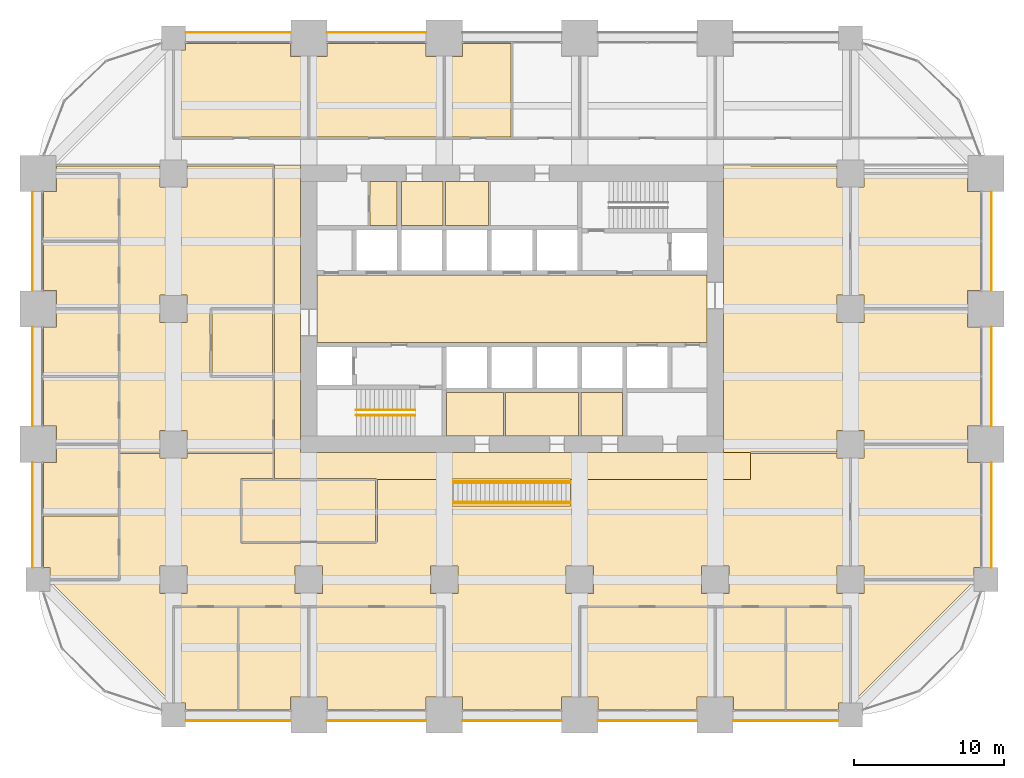
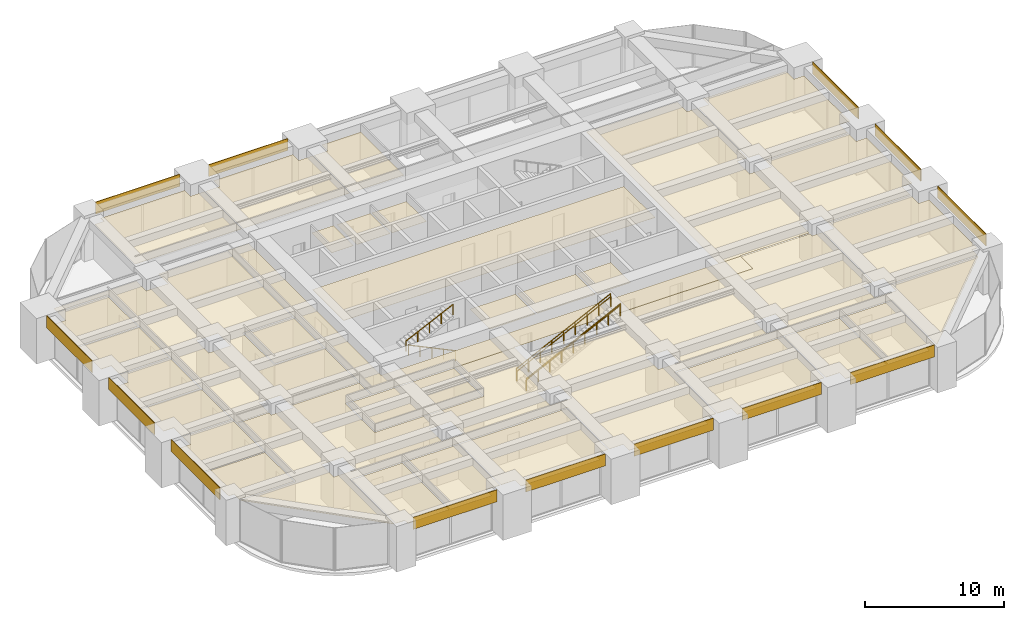
# One storey, part 40 of 41: 43 coverings, 6 railings.
"""IFC4 building model written with IfcOpenShell, lengths in metres."""

from ifc_helpers import new_model, si_unit, direction, frame, frame_2d, origin, origin_2d, place, context, subcontext, project, spatial, polyline, rectangle, circle, outline, extrude, material, layer, layer_set, type_object, element, save


model = new_model("IFC4")

# Units and contexts
model_context = context("Model", 3, precision=1e-05, world=origin(), true_north=direction((0.0, 1.0)))
body_context = subcontext(model_context, "Body", "Model", "MODEL_VIEW")
ifc_project = project(units=[si_unit("LENGTHUNIT", "METRE"), si_unit("AREAUNIT", "SQUARE_METRE"), si_unit("VOLUMEUNIT", "CUBIC_METRE"), si_unit("PLANEANGLEUNIT", "RADIAN"), si_unit("MASSUNIT", "GRAM", prefix="KILO")], contexts=[model_context])

# Site, building, storey
site_placement = place(None, origin())
site = spatial("IfcSite", under=ifc_project, at=site_placement, CompositionType="ELEMENT")
building_placement = place(site_placement, origin())
building = spatial("IfcBuilding", under=site, at=building_placement, Name="Zorevar Civic Tower", CompositionType="ELEMENT")
storey_placement = place(building_placement, frame((0.0, 0.0, 137.0)))
storey = spatial("IfcBuildingStorey", under=building, at=storey_placement, Name="L33", CompositionType="ELEMENT", Elevation=137.0)

# Railings
ifc_material_1 = material(Name="Laminated glass balustrade with black steel handrail", Category="steel")
railing_type_1 = type_object("IfcRailingType", Name="Balustrade BL1 1100", PredefinedType="BALUSTRADE", material=ifc_material_1)
for number, where, name in (
    (1, (27.60009765625, 14.080078125, 0.148193359375), "Balustrade BL1 interconnecting stair L33"),
    (2, (27.60009765625, 15.52001953125, 0.148193359375), "Balustrade BL1 interconnecting stair L33"),
):
    element("IfcRailing", number, at=place(storey_placement, frame(where)), inside=storey, type_object=railing_type_1, Name=name, PredefinedType="BALUSTRADE", context=body_context, shape_type="SweptSolid", body=[
        extrude(circle(Radius=0.02392578125, at=origin_2d()), frame((0.0, 0.0, 1.076171875), z_axis=(0.896627794226, 0.0, 0.442785047875), x_axis=(0.0, 1.0, 0.0)), (0.0, 0.0, 1.0), 8.698974609375),
        extrude(circle(Radius=0.02099609375, at=origin_2d()), origin(), (0.0, 0.0, 1.0), 1.052001953125),
        extrude(circle(Radius=0.02099609375, at=origin_2d()), frame((0.97509765625, 0.0, 0.4814453125)), (0.0, 0.0, 1.0), 1.052001953125),
        extrude(circle(Radius=0.02099609375, at=origin_2d()), frame((1.949951171875, 0.0, 0.962890625)), (0.0, 0.0, 1.0), 1.052001953125),
        extrude(circle(Radius=0.02099609375, at=origin_2d()), frame((2.9248046875, 0.0, 1.4443359375)), (0.0, 0.0, 1.0), 1.052001953125),
        extrude(circle(Radius=0.02099609375, at=origin_2d()), frame((3.89990234375, 0.0, 1.92578125)), (0.0, 0.0, 1.0), 1.052001953125),
        extrude(circle(Radius=0.02099609375, at=origin_2d()), frame((4.875, 0.0, 2.407470703125)), (0.0, 0.0, 1.0), 1.052001953125),
        extrude(circle(Radius=0.02099609375, at=origin_2d()), frame((5.849853515625, 0.0, 2.888916015625)), (0.0, 0.0, 1.0), 1.052001953125),
        extrude(circle(Radius=0.02099609375, at=origin_2d()), frame((6.82470703125, 0.0, 3.370361328125)), (0.0, 0.0, 1.0), 1.052001953125),
        extrude(circle(Radius=0.02099609375, at=origin_2d()), frame((7.7998046875, 0.0, 3.851806640625)), (0.0, 0.0, 1.0), 1.052001953125),
    ])
ifc_material_2 = material(Name="Black steel handrail", Category="steel")
railing_type_2 = type_object("IfcRailingType", Name="Handrail HR1 900", PredefinedType="HANDRAIL", material=ifc_material_2)
railing_1_placement = place(storey_placement, frame((25.050048828125, 19.925048828125, 0.142822265625)))
element("IfcRailing", 3, at=railing_1_placement, inside=storey, type_object=railing_type_2, Name="Handrail HR1 ST1 L33", PredefinedType="HANDRAIL", context=body_context, shape_type="SweptSolid", body=[
    extrude(circle(Radius=0.02392578125, at=origin_2d()), frame((0.0, 0.0, 0.8759765625), z_axis=(-0.902863652845, 0.0, 0.429926998885), x_axis=(0.0, -1.0, 0.0)), (0.0, 0.0, 1.0), 4.31982421875),
    extrude(circle(Radius=0.02099609375, at=origin_2d()), origin(), (0.0, 0.0, 1.0), 0.851806640625),
    extrude(circle(Radius=0.02099609375, at=origin_2d()), frame((-0.97509765625, 0.0, 0.46435546875)), (0.0, 0.0, 1.0), 0.851806640625),
    extrude(circle(Radius=0.02099609375, at=origin_2d()), frame((-1.9501953125, 0.0, 0.9287109375)), (0.0, 0.0, 1.0), 0.851806640625),
    extrude(circle(Radius=0.02099609375, at=origin_2d()), frame((-2.925048828125, 0.0, 1.392822265625)), (0.0, 0.0, 1.0), 0.851806640625),
    extrude(circle(Radius=0.02099609375, at=origin_2d()), frame((-3.900146484375, 0.0, 1.857177734375)), (0.0, 0.0, 1.0), 0.851806640625),
])
railing_2_placement = place(storey_placement, frame((21.14990234375, 20.27490234375, 2.142822265625)))
element("IfcRailing", 4, at=railing_2_placement, inside=storey, type_object=railing_type_2, Name="Handrail HR1 ST1 L33", PredefinedType="HANDRAIL", context=body_context, shape_type="SweptSolid", body=[
    extrude(circle(Radius=0.02392578125, at=origin_2d()), frame((0.0, 0.0, 0.8759765625), z_axis=(0.902863652845, 0.0, 0.429926998885), x_axis=(0.0, 1.0, 0.0)), (0.0, 0.0, 1.0), 4.31982421875),
    extrude(circle(Radius=0.02099609375, at=origin_2d()), origin(), (0.0, 0.0, 1.0), 0.851806640625),
    extrude(circle(Radius=0.02099609375, at=origin_2d()), frame((0.97509765625, 0.0, 0.46435546875)), (0.0, 0.0, 1.0), 0.851806640625),
    extrude(circle(Radius=0.02099609375, at=origin_2d()), frame((1.9501953125, 0.0, 0.9287109375)), (0.0, 0.0, 1.0), 0.851806640625),
    extrude(circle(Radius=0.02099609375, at=origin_2d()), frame((2.925048828125, 0.0, 1.392822265625)), (0.0, 0.0, 1.0), 0.851806640625),
    extrude(circle(Radius=0.02099609375, at=origin_2d()), frame((3.900146484375, 0.0, 1.857177734375)), (0.0, 0.0, 1.0), 0.851806640625),
])
for number, where, name in (
    (5, (27.60009765625, 14.14990234375, 0.148193359375), "Handrail HR1 interconnecting stair L33"),
    (6, (27.60009765625, 15.449951171875, 0.148193359375), "Handrail HR1 interconnecting stair L33"),
):
    element("IfcRailing", number, at=place(storey_placement, frame(where)), inside=storey, type_object=railing_type_2, Name=name, PredefinedType="HANDRAIL", context=body_context, shape_type="SweptSolid", body=[
        extrude(circle(Radius=0.02392578125, at=origin_2d()), frame((0.0, 0.0, 0.8759765625), z_axis=(0.896627794226, 0.0, 0.442785047875), x_axis=(0.0, 1.0, 0.0)), (0.0, 0.0, 1.0), 8.698974609375),
        extrude(circle(Radius=0.02099609375, at=origin_2d()), origin(), (0.0, 0.0, 1.0), 0.851806640625),
        extrude(circle(Radius=0.02099609375, at=origin_2d()), frame((0.97509765625, 0.0, 0.4814453125)), (0.0, 0.0, 1.0), 0.851806640625),
        extrude(circle(Radius=0.02099609375, at=origin_2d()), frame((1.949951171875, 0.0, 0.962890625)), (0.0, 0.0, 1.0), 0.851806640625),
        extrude(circle(Radius=0.02099609375, at=origin_2d()), frame((2.9248046875, 0.0, 1.4443359375)), (0.0, 0.0, 1.0), 0.851806640625),
        extrude(circle(Radius=0.02099609375, at=origin_2d()), frame((3.89990234375, 0.0, 1.92578125)), (0.0, 0.0, 1.0), 0.851806640625),
        extrude(circle(Radius=0.02099609375, at=origin_2d()), frame((4.875, 0.0, 2.407470703125)), (0.0, 0.0, 1.0), 0.851806640625),
        extrude(circle(Radius=0.02099609375, at=origin_2d()), frame((5.849853515625, 0.0, 2.888916015625)), (0.0, 0.0, 1.0), 0.851806640625),
        extrude(circle(Radius=0.02099609375, at=origin_2d()), frame((6.82470703125, 0.0, 3.370361328125)), (0.0, 0.0, 1.0), 0.851806640625),
        extrude(circle(Radius=0.02099609375, at=origin_2d()), frame((7.7998046875, 0.0, 3.851806640625)), (0.0, 0.0, 1.0), 0.851806640625),
    ])

# Coverings
ifc_material_3 = material(Name="Moisture-resistant gypsum board")
ifc_layer_1 = layer(ifc_material_3, 0.012451171875)
ifc_layer_set_1 = layer_set([ifc_layer_1], Name="Moisture-resistant ceiling SC3")
covering_type_1 = type_object("IfcCoveringType", Name="Moisture-resistant ceiling SC3", PredefinedType="CEILING", material=ifc_layer_set_1)
covering_1_placement = place(storey_placement, frame((0.0, 0.0, 3.0)))
element("IfcCovering", 7, at=covering_1_placement, inside=storey, type_object=covering_type_1, Name="Ceiling L33-05", PredefinedType="CEILING", context=body_context, shape_type="SweptSolid", body=[
    extrude(outline(polyline([(30.925048828125, 18.550048828125), (30.925048828125, 21.449951171875), (27.14990234375, 21.449951171875), (27.14990234375, 18.550048828125), (30.925048828125, 18.550048828125)])), origin(), (0.0, 0.0, 1.0), 0.012451171875),
])
covering_2_placement = place(storey_placement, frame((0.0, 0.0, 3.0)))
element("IfcCovering", 8, at=covering_2_placement, inside=storey, type_object=covering_type_1, Name="Ceiling L33-06", PredefinedType="CEILING", context=body_context, shape_type="SweptSolid", body=[
    extrude(outline(polyline([(35.925048828125, 18.550048828125), (35.925048828125, 21.449951171875), (31.074951171875, 21.449951171875), (31.074951171875, 18.550048828125), (35.925048828125, 18.550048828125)])), origin(), (0.0, 0.0, 1.0), 0.012451171875),
])
covering_3_placement = place(storey_placement, frame((0.0, 0.0, 3.0)))
element("IfcCovering", 9, at=covering_3_placement, inside=storey, type_object=covering_type_1, Name="Ceiling L33-07", PredefinedType="CEILING", context=body_context, shape_type="SweptSolid", body=[
    extrude(outline(polyline([(38.85009765625, 18.550048828125), (38.85009765625, 21.449951171875), (36.074951171875, 21.449951171875), (36.074951171875, 18.550048828125), (38.85009765625, 18.550048828125)])), origin(), (0.0, 0.0, 1.0), 0.012451171875),
])
covering_4_placement = place(storey_placement, frame((0.0, 0.0, 3.0)))
element("IfcCovering", 10, at=covering_4_placement, inside=storey, type_object=covering_type_1, Name="Ceiling L33-10", PredefinedType="CEILING", context=body_context, shape_type="SweptSolid", body=[
    extrude(outline(polyline([(26.925048828125, 32.550048828125), (26.925048828125, 35.449951171875), (24.14990234375, 35.449951171875), (24.14990234375, 32.550048828125), (26.925048828125, 32.550048828125)])), origin(), (0.0, 0.0, 1.0), 0.012451171875),
])
ifc_material_4 = material(Name="Black anodised aluminium spandrel panel", Category="aluminium")
ifc_layer_2 = layer(ifc_material_4, 0.050048828125)
ifc_layer_set_2 = layer_set([ifc_layer_2], Name="Spandrel cladding SP1")
covering_type_2 = type_object("IfcCoveringType", Name="Spandrel cladding SP1", PredefinedType="CLADDING", material=ifc_layer_set_2)
covering_5_placement = place(storey_placement, frame((9.800048828125, -0.375, 2.949951171875), z_axis=(0.0, 0.0, 1.0), x_axis=(1.0, 0.0, 0.0)))
element("IfcCovering", 11, at=covering_5_placement, inside=storey, type_object=covering_type_2, Name="Spandrel cladding L34", PredefinedType="CLADDING", context=body_context, shape_type="SweptSolid", body=[
    extrude(rectangle(XDim=7.0, YDim=0.050048828125, at=frame_2d((3.5, 0.0))), origin(), (0.0, 0.0, 1.0), 1.050048828125),
])
for number, where, z_axis, x_axis, name in (
    (12, (19.199951171875, -0.375, 2.949951171875), (0.0, 0.0, 1.0), (1.0, 0.0, 0.0), "Spandrel cladding L34"),
    (13, (28.199951171875, -0.375, 2.949951171875), (0.0, 0.0, 1.0), (1.0, 0.0, 0.0), "Spandrel cladding L34"),
    (14, (37.199951171875, -0.375, 2.949951171875), (0.0, 0.0, 1.0), (1.0, 0.0, 0.0), "Spandrel cladding L34"),
):
    element("IfcCovering", number, at=place(storey_placement, frame(where, z_axis=z_axis, x_axis=x_axis)), inside=storey, type_object=covering_type_2, Name=name, PredefinedType="CLADDING", context=body_context, shape_type="SweptSolid", body=[
        extrude(rectangle(XDim=6.60009765625, YDim=0.050048828125, at=frame_2d((3.300048828125, 0.0))), origin(), (0.0, 0.0, 1.0), 1.050048828125),
    ])
for number, where, z_axis, x_axis, name in (
    (15, (46.199951171875, -0.375, 2.949951171875), (0.0, 0.0, 1.0), (1.0, 0.0, 0.0), "Spandrel cladding L34"),
    (16, (9.800048828125, 45.375, 2.949951171875), (0.0, 0.0, 1.0), (1.0, 0.0, 0.0), "Spandrel cladding L34"),
):
    element("IfcCovering", number, at=place(storey_placement, frame(where, z_axis=z_axis, x_axis=x_axis)), inside=storey, type_object=covering_type_2, Name=name, PredefinedType="CLADDING", context=body_context, shape_type="SweptSolid", body=[
        extrude(rectangle(XDim=7.0, YDim=0.050048828125, at=frame_2d((3.5, 0.0))), origin(), (0.0, 0.0, 1.0), 1.050048828125),
    ])
covering_6_placement = place(storey_placement, frame((19.199951171875, 45.375, 2.949951171875), z_axis=(0.0, 0.0, 1.0), x_axis=(1.0, 0.0, 0.0)))
element("IfcCovering", 17, at=covering_6_placement, inside=storey, type_object=covering_type_2, Name="Spandrel cladding L34", PredefinedType="CLADDING", context=body_context, shape_type="SweptSolid", body=[
    extrude(rectangle(XDim=6.60009765625, YDim=0.050048828125, at=frame_2d((3.300048828125, 0.0))), origin(), (0.0, 0.0, 1.0), 1.050048828125),
])
covering_7_placement = place(storey_placement, frame((-0.375, 9.800048828125, 2.949951171875), z_axis=(0.0, 0.0, 1.0), x_axis=(0.0, 1.0, 0.0)))
element("IfcCovering", 18, at=covering_7_placement, inside=storey, type_object=covering_type_2, Name="Spandrel cladding L34", PredefinedType="CLADDING", context=body_context, shape_type="SweptSolid", body=[
    extrude(rectangle(XDim=7.0, YDim=0.050048828125, at=frame_2d((3.5, 0.0))), origin(), (0.0, 0.0, 1.0), 1.050048828125),
])
for number, where, z_axis, x_axis, name in (
    (19, (-0.375, 19.199951171875, 2.949951171875), (0.0, 0.0, 1.0), (0.0, 1.0, 0.0), "Spandrel cladding L34"),
    (20, (-0.375, 28.199951171875, 2.949951171875), (0.0, 0.0, 1.0), (0.0, 1.0, 0.0), "Spandrel cladding L34"),
):
    element("IfcCovering", number, at=place(storey_placement, frame(where, z_axis=z_axis, x_axis=x_axis)), inside=storey, type_object=covering_type_2, Name=name, PredefinedType="CLADDING", context=body_context, shape_type="SweptSolid", body=[
        extrude(rectangle(XDim=6.60009765625, YDim=0.050048828125, at=frame_2d((3.300048828125, 0.0))), origin(), (0.0, 0.0, 1.0), 1.050048828125),
    ])
covering_8_placement = place(storey_placement, frame((63.375, 9.800048828125, 2.949951171875), z_axis=(0.0, 0.0, 1.0), x_axis=(0.0, 1.0, 0.0)))
element("IfcCovering", 21, at=covering_8_placement, inside=storey, type_object=covering_type_2, Name="Spandrel cladding L34", PredefinedType="CLADDING", context=body_context, shape_type="SweptSolid", body=[
    extrude(rectangle(XDim=7.0, YDim=0.050048828125, at=frame_2d((3.5, 0.0))), origin(), (0.0, 0.0, 1.0), 1.050048828125),
])
for number, where, z_axis, x_axis, name in (
    (22, (63.375, 19.199951171875, 2.949951171875), (0.0, 0.0, 1.0), (0.0, 1.0, 0.0), "Spandrel cladding L34"),
    (23, (63.375, 28.199951171875, 2.949951171875), (0.0, 0.0, 1.0), (0.0, 1.0, 0.0), "Spandrel cladding L34"),
):
    element("IfcCovering", number, at=place(storey_placement, frame(where, z_axis=z_axis, x_axis=x_axis)), inside=storey, type_object=covering_type_2, Name=name, PredefinedType="CLADDING", context=body_context, shape_type="SweptSolid", body=[
        extrude(rectangle(XDim=6.60009765625, YDim=0.050048828125, at=frame_2d((3.300048828125, 0.0))), origin(), (0.0, 0.0, 1.0), 1.050048828125),
    ])
ifc_material_5 = material(Name="Mineral fibre tiles on a concealed grid")
ifc_layer_3 = layer(ifc_material_5, 0.02001953125)
ifc_layer_set_3 = layer_set([ifc_layer_3], Name="Suspended ceiling SC1")
covering_type_3 = type_object("IfcCoveringType", Name="Suspended ceiling SC1", PredefinedType="CEILING", material=ifc_layer_set_3)
covering_9_placement = place(storey_placement, frame((0.0, 0.0, 3.0)))
element("IfcCovering", 24, at=covering_9_placement, inside=storey, type_object=covering_type_3, Name="Ceiling L33-09", PredefinedType="CEILING", context=body_context, shape_type="SweptSolid", body=[
    extrude(outline(polyline([(29.93994140625, 32.550048828125), (29.93994140625, 35.449951171875), (27.074951171875, 35.449951171875), (27.074951171875, 32.550048828125), (29.93994140625, 32.550048828125)])), origin(), (0.0, 0.0, 1.0), 0.02001953125),
])
covering_10_placement = place(storey_placement, frame((0.0, 0.0, 3.0)))
element("IfcCovering", 25, at=covering_10_placement, inside=storey, type_object=covering_type_3, Name="Ceiling L33-12", PredefinedType="CEILING", context=body_context, shape_type="SweptSolid", body=[
    extrude(outline(polyline([(23.85009765625, 32.550048828125), (23.85009765625, 35.449951171875), (22.06005859375, 35.449951171875), (22.06005859375, 32.550048828125), (23.85009765625, 32.550048828125)])), origin(), (0.0, 0.0, 1.0), 0.02001953125),
])
covering_11_placement = place(storey_placement, frame((0.0, 0.0, 3.0)))
element("IfcCovering", 26, at=covering_11_placement, inside=storey, type_object=covering_type_3, Name="Ceiling L33-16", PredefinedType="CEILING", context=body_context, shape_type="SweptSolid", body=[
    extrude(outline(polyline([(44.449951171875, 24.75), (44.449951171875, 29.25), (18.550048828125, 29.25), (18.550048828125, 24.75), (44.449951171875, 24.75)])), origin(), (0.0, 0.0, 1.0), 0.02001953125),
])
covering_12_placement = place(storey_placement, frame((0.0, 0.0, 3.0)))
element("IfcCovering", 27, at=covering_12_placement, inside=storey, type_object=covering_type_3, Name="Ceiling L33-17", PredefinedType="CEILING", context=body_context, shape_type="SweptSolid", body=[
    extrude(outline(polyline([(9.81005859375, 44.18994140625), (9.81005859375, 44.64990234375), (16.7900390625, 44.64990234375), (16.7900390625, 43.7900390625), (17.93994140625, 43.7900390625), (17.93994140625, 38.409912109375), (9.06005859375, 38.409912109375), (9.06005859375, 44.18994140625), (9.81005859375, 44.18994140625)])), origin(), (0.0, 0.0, 1.0), 0.02001953125),
])
covering_13_placement = place(storey_placement, frame((0.0, 0.0, 3.0)))
element("IfcCovering", 28, at=covering_13_placement, inside=storey, type_object=covering_type_3, Name="Ceiling L33-18", PredefinedType="CEILING", context=body_context, shape_type="SweptSolid", body=[
    extrude(outline(polyline([(19.2099609375, 43.7900390625), (19.2099609375, 44.64990234375), (25.7900390625, 44.64990234375), (25.7900390625, 43.7900390625), (26.93994140625, 43.7900390625), (26.93994140625, 38.409912109375), (18.06005859375, 38.409912109375), (18.06005859375, 43.7900390625), (19.2099609375, 43.7900390625)])), origin(), (0.0, 0.0, 1.0), 0.02001953125),
])
covering_14_placement = place(storey_placement, frame((0.0, 0.0, 3.0)))
element("IfcCovering", 29, at=covering_14_placement, inside=storey, type_object=covering_type_3, Name="Ceiling L33-19", PredefinedType="CEILING", context=body_context, shape_type="SweptSolid", body=[
    extrude(outline(polyline([(27.06005859375, 38.409912109375), (27.06005859375, 43.7900390625), (28.2099609375, 43.7900390625), (28.2099609375, 44.64990234375), (31.43994140625, 44.64990234375), (31.43994140625, 38.409912109375), (27.06005859375, 38.409912109375)])), origin(), (0.0, 0.0, 1.0), 0.02001953125),
])
covering_15_placement = place(storey_placement, frame((0.0, 0.0, 3.0)))
element("IfcCovering", 30, at=covering_15_placement, inside=storey, type_object=covering_type_3, Name="Ceiling L33-23", PredefinedType="CEILING", context=body_context, shape_type="SweptSolid", body=[
    extrude(outline(polyline([(13.239990234375, 7.139892578125), (13.239990234375, 0.35009765625), (9.81005859375, 0.35009765625), (9.81005859375, 0.81005859375), (9.06005859375, 0.81005859375), (9.06005859375, 7.139892578125), (13.239990234375, 7.139892578125)])), origin(), (0.0, 0.0, 1.0), 0.02001953125),
])
covering_16_placement = place(storey_placement, frame((0.0, 0.0, 3.0)))
element("IfcCovering", 31, at=covering_16_placement, inside=storey, type_object=covering_type_3, Name="Ceiling L33-24", PredefinedType="CEILING", context=body_context, shape_type="SweptSolid", body=[
    extrude(outline(polyline([(17.93994140625, 7.139892578125), (17.93994140625, 1.2099609375), (16.7900390625, 1.2099609375), (16.7900390625, 0.35009765625), (13.360107421875, 0.35009765625), (13.360107421875, 7.139892578125), (17.93994140625, 7.139892578125)])), origin(), (0.0, 0.0, 1.0), 0.02001953125),
])
covering_17_placement = place(storey_placement, frame((0.0, 0.0, 3.0)))
element("IfcCovering", 32, at=covering_17_placement, inside=storey, type_object=covering_type_3, Name="Ceiling L33-25", PredefinedType="CEILING", context=body_context, shape_type="SweptSolid", body=[
    extrude(outline(polyline([(19.2099609375, 0.35009765625), (19.2099609375, 1.2099609375), (18.06005859375, 1.2099609375), (18.06005859375, 7.139892578125), (26.93994140625, 7.139892578125), (26.93994140625, 1.2099609375), (25.7900390625, 1.2099609375), (25.7900390625, 0.35009765625), (19.2099609375, 0.35009765625)])), origin(), (0.0, 0.0, 1.0), 0.02001953125),
])
covering_18_placement = place(storey_placement, frame((0.0, 0.0, 3.0)))
element("IfcCovering", 33, at=covering_18_placement, inside=storey, type_object=covering_type_3, Name="Ceiling L33-26", PredefinedType="CEILING", context=body_context, shape_type="SweptSolid", body=[
    extrude(outline(polyline([(37.2099609375, 0.35009765625), (37.2099609375, 1.2099609375), (36.06005859375, 1.2099609375), (36.06005859375, 7.139892578125), (44.93994140625, 7.139892578125), (44.93994140625, 1.2099609375), (43.7900390625, 1.2099609375), (43.7900390625, 0.35009765625), (37.2099609375, 0.35009765625)])), origin(), (0.0, 0.0, 1.0), 0.02001953125),
])
covering_19_placement = place(storey_placement, frame((0.0, 0.0, 3.0)))
element("IfcCovering", 34, at=covering_19_placement, inside=storey, type_object=covering_type_3, Name="Ceiling L33-27", PredefinedType="CEILING", context=body_context, shape_type="SweptSolid", body=[
    extrude(outline(polyline([(49.639892578125, 7.139892578125), (49.639892578125, 0.35009765625), (46.2099609375, 0.35009765625), (46.2099609375, 1.2099609375), (45.06005859375, 1.2099609375), (45.06005859375, 7.139892578125), (49.639892578125, 7.139892578125)])), origin(), (0.0, 0.0, 1.0), 0.02001953125),
])
covering_20_placement = place(storey_placement, frame((0.0, 0.0, 3.0)))
element("IfcCovering", 35, at=covering_20_placement, inside=storey, type_object=covering_type_3, Name="Ceiling L33-28", PredefinedType="CEILING", context=body_context, shape_type="SweptSolid", body=[
    extrude(outline(polyline([(53.93994140625, 7.139892578125), (53.93994140625, 0.81005859375), (53.18994140625, 0.81005859375), (53.18994140625, 0.35009765625), (49.760009765625, 0.35009765625), (49.760009765625, 7.139892578125), (53.93994140625, 7.139892578125)])), origin(), (0.0, 0.0, 1.0), 0.02001953125),
])
covering_21_placement = place(storey_placement, frame((0.0, 0.0, 3.0)))
element("IfcCovering", 36, at=covering_21_placement, inside=storey, type_object=covering_type_3, Name="Ceiling L33-29", PredefinedType="CEILING", context=body_context, shape_type="SweptSolid", body=[
    extrude(outline(polyline([(5.340087890625, 9.06005859375), (0.81005859375, 9.06005859375), (0.81005859375, 9.81005859375), (0.35009765625, 9.81005859375), (0.35009765625, 13.239990234375), (5.340087890625, 13.239990234375), (5.340087890625, 9.06005859375)])), origin(), (0.0, 0.0, 1.0), 0.02001953125),
])
covering_22_placement = place(storey_placement, frame((0.0, 0.0, 3.0)))
element("IfcCovering", 37, at=covering_22_placement, inside=storey, type_object=covering_type_3, Name="Ceiling L33-30", PredefinedType="CEILING", context=body_context, shape_type="SweptSolid", body=[
    extrude(outline(polyline([(5.340087890625, 13.360107421875), (0.35009765625, 13.360107421875), (0.35009765625, 16.7900390625), (1.2099609375, 16.7900390625), (1.2099609375, 17.93994140625), (5.340087890625, 17.93994140625), (5.340087890625, 13.360107421875)])), origin(), (0.0, 0.0, 1.0), 0.02001953125),
])
covering_23_placement = place(storey_placement, frame((0.0, 0.0, 3.0)))
element("IfcCovering", 38, at=covering_23_placement, inside=storey, type_object=covering_type_3, Name="Ceiling L33-31", PredefinedType="CEILING", context=body_context, shape_type="SweptSolid", body=[
    extrude(outline(polyline([(5.340087890625, 18.06005859375), (1.2099609375, 18.06005859375), (1.2099609375, 19.2099609375), (0.35009765625, 19.2099609375), (0.35009765625, 22.43994140625), (5.340087890625, 22.43994140625), (5.340087890625, 18.06005859375)])), origin(), (0.0, 0.0, 1.0), 0.02001953125),
])
covering_24_placement = place(storey_placement, frame((0.0, 0.0, 3.0)))
element("IfcCovering", 39, at=covering_24_placement, inside=storey, type_object=covering_type_3, Name="Ceiling L33-32", PredefinedType="CEILING", context=body_context, shape_type="SweptSolid", body=[
    extrude(outline(polyline([(5.340087890625, 22.56005859375), (0.35009765625, 22.56005859375), (0.35009765625, 25.7900390625), (1.2099609375, 25.7900390625), (1.2099609375, 26.93994140625), (5.340087890625, 26.93994140625), (5.340087890625, 22.56005859375)])), origin(), (0.0, 0.0, 1.0), 0.02001953125),
])
covering_25_placement = place(storey_placement, frame((0.0, 0.0, 3.0)))
element("IfcCovering", 40, at=covering_25_placement, inside=storey, type_object=covering_type_3, Name="Ceiling L33-33", PredefinedType="CEILING", context=body_context, shape_type="SweptSolid", body=[
    extrude(outline(polyline([(5.340087890625, 27.06005859375), (1.2099609375, 27.06005859375), (1.2099609375, 28.2099609375), (0.35009765625, 28.2099609375), (0.35009765625, 31.43994140625), (5.340087890625, 31.43994140625), (5.340087890625, 27.06005859375)])), origin(), (0.0, 0.0, 1.0), 0.02001953125),
])
covering_26_placement = place(storey_placement, frame((0.0, 0.0, 3.0)))
element("IfcCovering", 41, at=covering_26_placement, inside=storey, type_object=covering_type_3, Name="Ceiling L33-34", PredefinedType="CEILING", context=body_context, shape_type="SweptSolid", body=[
    extrude(outline(polyline([(5.340087890625, 31.56005859375), (0.35009765625, 31.56005859375), (0.35009765625, 34.7900390625), (1.2099609375, 34.7900390625), (1.2099609375, 35.93994140625), (5.340087890625, 35.93994140625), (5.340087890625, 31.56005859375)])), origin(), (0.0, 0.0, 1.0), 0.02001953125),
])
covering_27_placement = place(storey_placement, frame((0.0, 0.0, 3.0)))
element("IfcCovering", 42, at=covering_27_placement, inside=storey, type_object=covering_type_3, Name="Ceiling L33-35", PredefinedType="CEILING", context=body_context, shape_type="SweptSolid", body=[
    extrude(outline(polyline([(62.64990234375, 9.81005859375), (62.18994140625, 9.81005859375), (62.18994140625, 9.06005859375), (54.909912109375, 9.06005859375), (54.909912109375, 9.909912109375), (54.06005859375, 9.909912109375), (54.06005859375, 17.090087890625), (54.909912109375, 17.090087890625), (54.909912109375, 17.93994140625), (61.7900390625, 17.93994140625), (61.7900390625, 16.7900390625), (62.64990234375, 16.7900390625), (62.64990234375, 9.81005859375)])), origin(), (0.0, 0.0, 1.0), 0.02001953125),
])
covering_28_placement = place(storey_placement, frame((0.0, 0.0, 3.0)))
element("IfcCovering", 43, at=covering_28_placement, inside=storey, type_object=covering_type_3, Name="Ceiling L33-36", PredefinedType="CEILING", context=body_context, shape_type="SweptSolid", body=[
    extrude(outline(polyline([(62.64990234375, 28.2099609375), (61.7900390625, 28.2099609375), (61.7900390625, 27.06005859375), (54.909912109375, 27.06005859375), (54.909912109375, 27.909912109375), (54.06005859375, 27.909912109375), (54.06005859375, 35.090087890625), (54.909912109375, 35.090087890625), (54.909912109375, 35.93994140625), (61.7900390625, 35.93994140625), (61.7900390625, 34.7900390625), (62.64990234375, 34.7900390625), (62.64990234375, 28.2099609375)])), origin(), (0.0, 0.0, 1.0), 0.02001953125),
])
covering_29_placement = place(storey_placement, frame((0.0, 0.0, 3.0)))
element("IfcCovering", 44, at=covering_29_placement, inside=storey, type_object=covering_type_3, Name="Ceiling L33-37", PredefinedType="CEILING", context=body_context, shape_type="SweptSolid", body=[
    extrude(outline(polyline([(13.56005859375, 15.590087890625), (22.43994140625, 15.590087890625), (22.43994140625, 11.550048828125), (13.56005859375, 11.550048828125), (13.56005859375, 15.590087890625)])), origin(), (0.0, 0.0, 1.0), 0.02001953125),
])
covering_30_placement = place(storey_placement, frame((0.0, 0.0, 3.0)))
element("IfcCovering", 45, at=covering_30_placement, inside=storey, type_object=covering_type_3, Name="Ceiling L33-38", PredefinedType="CEILING", context=body_context, shape_type="SweptSolid", body=[
    extrude(outline(polyline([(11.56005859375, 26.93994140625), (15.590087890625, 26.93994140625), (15.590087890625, 22.56005859375), (11.56005859375, 22.56005859375), (11.56005859375, 26.93994140625)])), origin(), (0.0, 0.0, 1.0), 0.02001953125),
])
covering_31_placement = place(storey_placement, frame((0.0, 0.0, 3.0)))
element("IfcCovering", 46, at=covering_31_placement, inside=storey, type_object=covering_type_3, Name="Ceiling L33-40", PredefinedType="CEILING", context=body_context, shape_type="SweptSolid", body=[
    extrude(outline(polyline([(35.39990234375, 15.64990234375), (35.39990234375, 15.699951171875), (27.5, 15.699951171875), (27.5, 15.64990234375), (22.5, 15.64990234375), (22.5, 15.7099609375), (15.699951171875, 15.7099609375), (15.699951171875, 22.5), (15.7099609375, 22.5), (15.7099609375, 27.0), (15.699951171875, 27.0), (15.699951171875, 36.550048828125), (17.449951171875, 36.550048828125), (17.449951171875, 17.449951171875), (47.35009765625, 17.449951171875), (47.35009765625, 15.64990234375), (35.39990234375, 15.64990234375)])), origin(), (0.0, 0.0, 1.0), 0.02001953125),
])
covering_32_placement = place(storey_placement, frame((0.0, 0.0, 3.0)))
element("IfcCovering", 47, at=covering_32_placement, inside=storey, type_object=covering_type_3, Name="Ceiling L33-41", PredefinedType="CEILING", context=body_context, shape_type="SweptSolid", body=[
    extrude(outline(polyline([(62.64990234375, 19.2099609375), (61.7900390625, 19.2099609375), (61.7900390625, 18.06005859375), (54.909912109375, 18.06005859375), (54.909912109375, 18.909912109375), (53.090087890625, 18.909912109375), (53.090087890625, 17.5), (47.35009765625, 17.5), (47.35009765625, 17.449951171875), (45.550048828125, 17.449951171875), (45.550048828125, 36.550048828125), (47.35009765625, 36.550048828125), (47.35009765625, 36.5), (53.090087890625, 36.5), (53.090087890625, 35.090087890625), (53.93994140625, 35.090087890625), (53.93994140625, 27.909912109375), (53.090087890625, 27.909912109375), (53.090087890625, 26.090087890625), (54.909912109375, 26.090087890625), (54.909912109375, 26.93994140625), (61.7900390625, 26.93994140625), (61.7900390625, 25.7900390625), (62.64990234375, 25.7900390625), (62.64990234375, 19.2099609375)])), origin(), (0.0, 0.0, 1.0), 0.02001953125),
])
covering_33_placement = place(storey_placement, frame((0.0, 0.0, 3.0)))
element("IfcCovering", 48, at=covering_33_placement, inside=storey, type_object=covering_type_3, Name="Ceiling L33-43", PredefinedType="CEILING", context=body_context, shape_type="SweptSolid", body=[
    extrude(outline(polyline([(9.909912109375, 17.090087890625), (9.909912109375, 17.39990234375), (15.60009765625, 17.39990234375), (15.60009765625, 15.7099609375), (13.5, 15.7099609375), (13.5, 15.64990234375), (13.43994140625, 15.64990234375), (13.43994140625, 11.5), (13.5, 11.5), (13.5, 11.449951171875), (22.5, 11.449951171875), (22.5, 11.5), (22.56005859375, 11.5), (22.56005859375, 15.64990234375), (27.5, 15.64990234375), (27.5, 13.89990234375), (35.39990234375, 13.89990234375), (35.39990234375, 15.64990234375), (47.35009765625, 15.64990234375), (47.35009765625, 17.39990234375), (53.090087890625, 17.39990234375), (53.090087890625, 17.090087890625), (53.93994140625, 17.090087890625), (53.93994140625, 9.909912109375), (53.090087890625, 9.909912109375), (53.090087890625, 8.090087890625), (54.909912109375, 8.090087890625), (54.909912109375, 8.93994140625), (62.18994140625, 8.93994140625), (62.18994140625, 8.897216796875), (54.102783203125, 0.81005859375), (54.06005859375, 0.81005859375), (54.06005859375, 7.199951171875), (54.0, 7.199951171875), (54.0, 7.260009765625), (36.0, 7.260009765625), (36.0, 7.199951171875), (35.93994140625, 7.199951171875), (35.93994140625, 1.2099609375), (34.7900390625, 1.2099609375), (34.7900390625, 0.35009765625), (28.2099609375, 0.35009765625), (28.2099609375, 1.2099609375), (27.06005859375, 1.2099609375), (27.06005859375, 7.199951171875), (27.0, 7.199951171875), (27.0, 7.260009765625), (9.0, 7.260009765625), (9.0, 7.199951171875), (8.93994140625, 7.199951171875), (8.93994140625, 0.81005859375), (8.897216796875, 0.81005859375), (0.81005859375, 8.897216796875), (0.81005859375, 8.93994140625), (5.39990234375, 8.93994140625), (5.39990234375, 9.0), (5.4599609375, 9.0), (5.4599609375, 17.39990234375), (8.090087890625, 17.39990234375), (8.090087890625, 17.090087890625), (9.909912109375, 17.090087890625)]), holes=[polyline([(8.090087890625, 8.090087890625), (9.909912109375, 8.090087890625), (9.909912109375, 9.909912109375), (8.090087890625, 9.909912109375), (8.090087890625, 8.090087890625)]), polyline([(18.909912109375, 9.909912109375), (17.090087890625, 9.909912109375), (17.090087890625, 8.090087890625), (18.909912109375, 8.090087890625), (18.909912109375, 9.909912109375)]), polyline([(26.090087890625, 8.090087890625), (27.909912109375, 8.090087890625), (27.909912109375, 9.909912109375), (26.090087890625, 9.909912109375), (26.090087890625, 8.090087890625)]), polyline([(36.909912109375, 9.909912109375), (35.090087890625, 9.909912109375), (35.090087890625, 8.090087890625), (36.909912109375, 8.090087890625), (36.909912109375, 9.909912109375)]), polyline([(45.909912109375, 8.090087890625), (45.909912109375, 9.909912109375), (44.090087890625, 9.909912109375), (44.090087890625, 8.090087890625), (45.909912109375, 8.090087890625)])]), origin(), (0.0, 0.0, 1.0), 0.02001953125),
])
covering_34_placement = place(storey_placement, frame((0.0, 0.0, 3.0)))
element("IfcCovering", 49, at=covering_34_placement, inside=storey, type_object=covering_type_3, Name="Ceiling L33-44", PredefinedType="CEILING", context=body_context, shape_type="SweptSolid", body=[
    extrude(outline(polyline([(15.60009765625, 22.43994140625), (15.60009765625, 17.5), (9.909912109375, 17.5), (9.909912109375, 18.909912109375), (8.090087890625, 18.909912109375), (8.090087890625, 17.5), (5.4599609375, 17.5), (5.4599609375, 36.0), (5.39990234375, 36.0), (5.39990234375, 36.06005859375), (1.2099609375, 36.06005859375), (1.2099609375, 36.5), (8.090087890625, 36.5), (8.090087890625, 35.090087890625), (9.909912109375, 35.090087890625), (9.909912109375, 36.5), (15.60009765625, 36.5), (15.60009765625, 27.06005859375), (11.5, 27.06005859375), (11.5, 27.0), (11.43994140625, 27.0), (11.43994140625, 22.5), (11.5, 22.5), (11.5, 22.43994140625), (15.60009765625, 22.43994140625)]), holes=[polyline([(8.090087890625, 27.909912109375), (8.090087890625, 26.090087890625), (9.909912109375, 26.090087890625), (9.909912109375, 27.909912109375), (8.090087890625, 27.909912109375)])]), origin(), (0.0, 0.0, 1.0), 0.02001953125),
])

save(model, "model.ifc")
